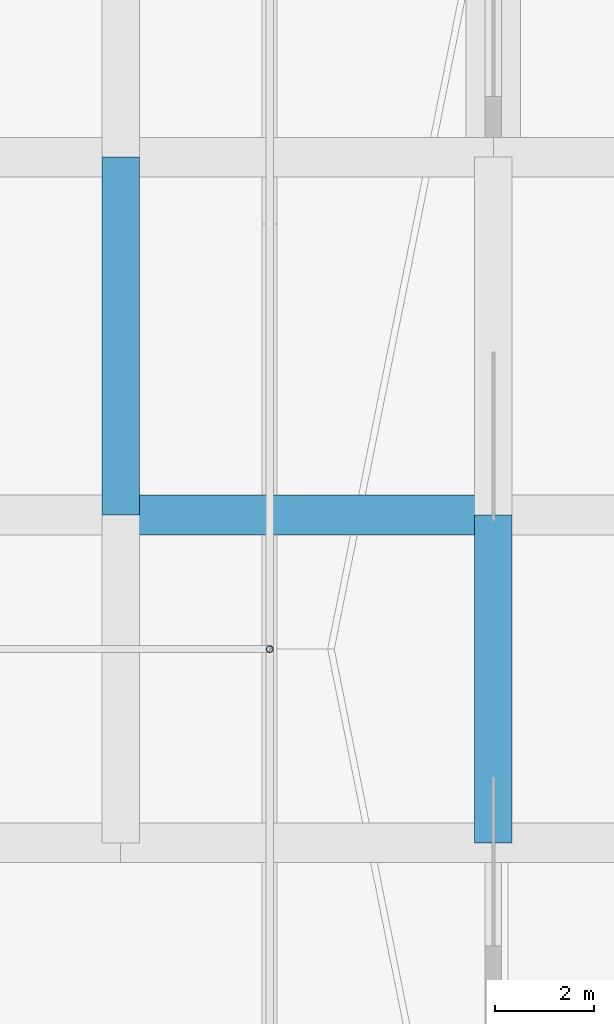
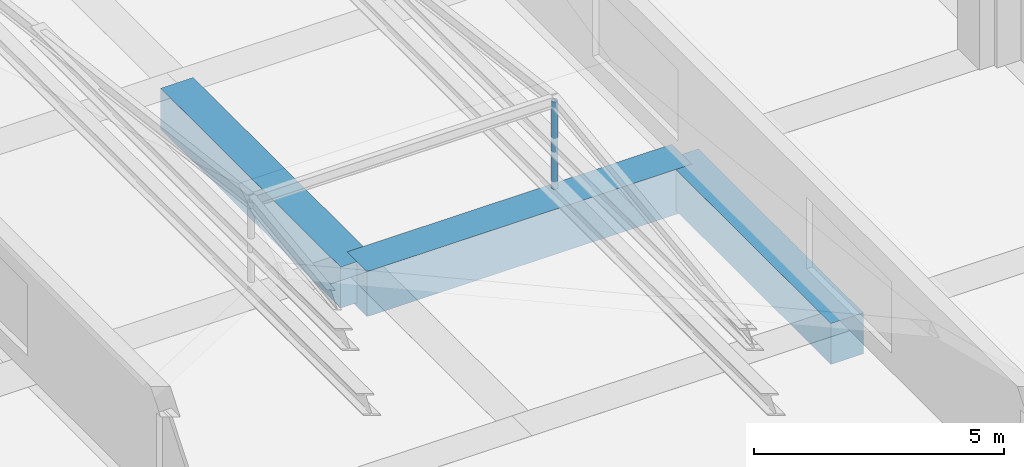
# One storey, part 7 of 49: 3 beams, 1 member.
"""IFC4 building model written with IfcOpenShell, lengths in metres."""

from ifc_helpers import new_model, si_unit, direction, frame, origin, origin_2d, place, context, subcontext, project, spatial, rectangle, hollow_circle, extrude, material, material_profile, profile_set, type_object, element, save


model = new_model("IFC4")

# Units and contexts
model_context = context("Model", 3, precision=1e-05, world=origin(), true_north=direction((0.0, 1.0)))
body_context = subcontext(model_context, "Body", "Model", "MODEL_VIEW")
ifc_project = project(units=[si_unit("LENGTHUNIT", "METRE"), si_unit("AREAUNIT", "SQUARE_METRE"), si_unit("VOLUMEUNIT", "CUBIC_METRE"), si_unit("PLANEANGLEUNIT", "RADIAN"), si_unit("MASSUNIT", "GRAM", prefix="KILO")], contexts=[model_context])

# Site, building, storey
site_placement = place(None, origin())
site = spatial("IfcSite", under=ifc_project, at=site_placement, CompositionType="ELEMENT")
building_placement = place(site_placement, origin())
building = spatial("IfcBuilding", under=site, at=building_placement, Name="Akrevak Sports Hall", CompositionType="ELEMENT")
storey_placement = place(building_placement, frame((0.0, 0.0, 24.14990234375)))
storey = spatial("IfcBuildingStorey", under=building, at=storey_placement, Name="L04", CompositionType="ELEMENT", Elevation=24.14990234375)

# Beams
ifc_material_1 = material(Name="Concrete C50/60", Category="concrete")
ifc_material_profile_1 = material_profile(ifc_material_1, rectangle(XDim=0.75, YDim=1.0, at=origin_2d()), Name="BM 750x1000", Category="concrete")
ifc_profile_set_1 = profile_set([ifc_material_profile_1], Name="Concrete C50/60")
beam_type_1 = type_object("IfcBeamType", Name="STR-BM-RC750x1000", PredefinedType="BEAM", material=ifc_profile_set_1)
beam_1_placement = place(storey_placement, frame((22.5, 55.199951171875, -0.5), z_axis=(0.0, 1.0, 0.0), x_axis=(-1.0, 0.0, 0.0)))
element("IfcBeam", 1, at=beam_1_placement, inside=storey, type_object=beam_type_1, Name="Girder 4/I-J (L04)", PredefinedType="BEAM", context=body_context, shape_type="SweptSolid", body=[
    extrude(rectangle(XDim=0.75, YDim=1.0, at=origin_2d()), origin(), (0.0, 0.0, 1.0), 7.199951171875),
])
beam_2_placement = place(storey_placement, frame((30.0, 48.60009765625, -0.5), z_axis=(0.0, 1.0, 0.0), x_axis=(-1.0, 0.0, 0.0)))
element("IfcBeam", 2, at=beam_2_placement, inside=storey, type_object=beam_type_1, Name="Girder 5/H-I (L04)", PredefinedType="BEAM", context=body_context, shape_type="SweptSolid", body=[
    extrude(rectangle(XDim=0.75, YDim=1.0, at=origin_2d()), origin(), (0.0, 0.0, 1.0), 6.599853515625),
])
ifc_material_profile_2 = material_profile(ifc_material_1, rectangle(XDim=0.800048828125, YDim=1.10009765625, at=origin_2d()), Name="BM 800x1100", Category="concrete")
ifc_profile_set_2 = profile_set([ifc_material_profile_2], Name="Concrete C50/60")
beam_type_2 = type_object("IfcBeamType", Name="STR-BM-RC800x1100", PredefinedType="BEAM", material=ifc_profile_set_2)
beam_3_placement = place(storey_placement, frame((22.5, 55.199951171875, -0.5498046875), z_axis=(1.0, 0.0, 0.0), x_axis=(0.0, 1.0, 0.0)))
element("IfcBeam", 3, at=beam_3_placement, inside=storey, type_object=beam_type_2, Name="Girder I/4-5 (L04)", PredefinedType="BEAM", context=body_context, shape_type="SweptSolid", body=[
    extrude(rectangle(XDim=0.800048828125, YDim=1.10009765625, at=origin_2d()), origin(), (0.0, 0.0, 1.0), 7.5),
])

# Member
ifc_material_2 = material(Name="Steel S355", Category="steel")
ifc_material_profile_3 = material_profile(ifc_material_2, hollow_circle(Radius=0.06982421875, WallThickness=0.008056640625, at=origin_2d()), Name="CHS 139.7x8", Category="steel")
ifc_profile_set_3 = profile_set([ifc_material_profile_3], Name="Steel S355")
member_type = type_object("IfcMemberType", Name="STR-MEM-BRACE-CHS139", PredefinedType="BRACE", material=ifc_profile_set_3)
member_placement = place(storey_placement, frame((25.5, 52.5, 2.400146484375), z_axis=(0.0, 0.0, 1.0), x_axis=(1.0, 0.0, 0.0)))
element("IfcMember", 4, at=member_placement, inside=storey, type_object=member_type, Name="West Sports Hall Clerestory Monitor Roof Central King Post 2", PredefinedType="BRACE", context=body_context, shape_type="SweptSolid", body=[
    extrude(hollow_circle(Radius=0.06982421875, WallThickness=0.008056640625, at=origin_2d()), origin(), (0.0, 0.0, 1.0), 2.1298828125),
])

save(model, "model.ifc")
